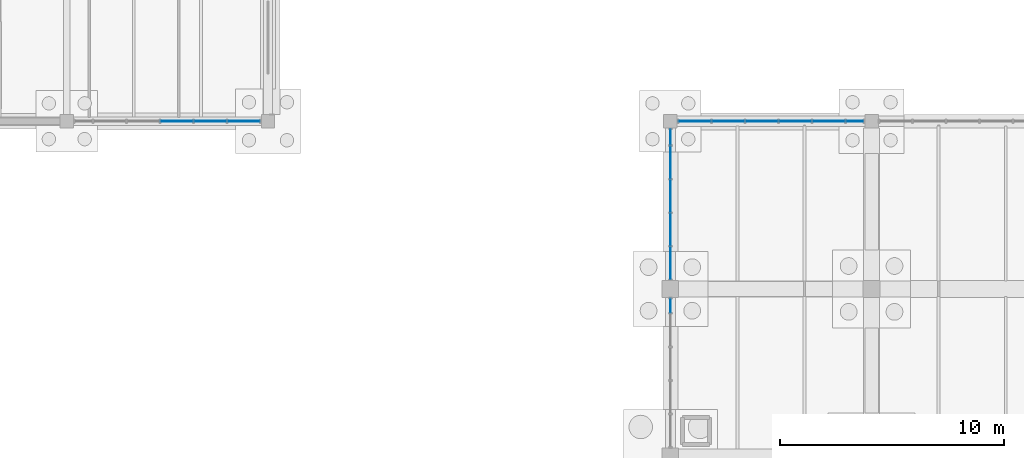
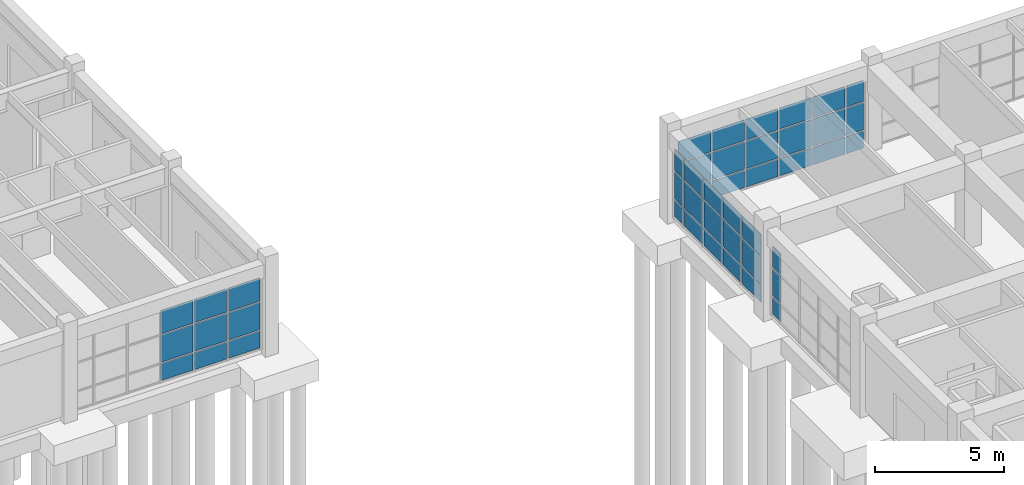
# One storey, part 49 of 93: 45 plates, 4 elements without a shape of their own.
"""IFC4 building model written with IfcOpenShell, lengths in metres."""

from ifc_helpers import new_model, si_unit, direction, frame, origin, origin_2d, place, context, subcontext, project, spatial, rectangle, extrude, material, layer, layer_set, type_object, element, aggregate, save


model = new_model("IFC4")

# Units and contexts
model_context = context("Model", 3, precision=1e-05, world=origin(), true_north=direction((0.0, 1.0)))
body_context = subcontext(model_context, "Body", "Model", "MODEL_VIEW")
ifc_project = project(units=[si_unit("LENGTHUNIT", "METRE"), si_unit("AREAUNIT", "SQUARE_METRE"), si_unit("VOLUMEUNIT", "CUBIC_METRE"), si_unit("PLANEANGLEUNIT", "RADIAN"), si_unit("MASSUNIT", "GRAM", prefix="KILO")], contexts=[model_context])

# Site, building, storey
site_placement = place(None, origin())
site = spatial("IfcSite", under=ifc_project, at=site_placement, CompositionType="ELEMENT")
building_placement = place(site_placement, origin())
building = spatial("IfcBuilding", under=site, at=building_placement, Name="Marnridge Secondary College", CompositionType="ELEMENT")
storey_placement = place(building_placement, origin())
storey = spatial("IfcBuildingStorey", under=building, at=storey_placement, Name="L00", CompositionType="ELEMENT", Elevation=0.0)

# Curtain wall, plates
ifc_material_1 = material(Name="Thermally broken aluminium and low-E glazing", Category="aluminium")
ifc_layer_1 = layer(ifc_material_1, 0.159912109375)
ifc_layer_set_1 = layer_set([ifc_layer_1], Name="CW-MOD-1500")
curtain_wall_type = type_object("IfcCurtainWallType", Name="CW-MOD-1500", PredefinedType="NOTDEFINED", material=ifc_layer_set_1)
curtain_wall_1_placement = place(storey_placement, origin())
curtain_wall_1 = element("IfcCurtainWall", 1, at=curtain_wall_1_placement, inside=storey, type_object=curtain_wall_type, Name="Unitised curtain wall CW-L00-001", PredefinedType="NOTDEFINED")
ifc_material_2 = material(Name="Double-glazed low-E argon unit", Category="glass")
ifc_layer_2 = layer(ifc_material_2, 0.028076171875)
ifc_layer_set_2 = layer_set([ifc_layer_2], Name="CWP-GLZ28")
plate_type = type_object("IfcPlateType", Name="CWP-GLZ28", PredefinedType="CURTAIN_PANEL", material=ifc_layer_set_2)
plate_1_placement = place(storey_placement, frame((55.083984375, 82.5, 0.06005859375), z_axis=(0.0, 0.0, 1.0), x_axis=(1.0, 0.0, 0.0)))
plate_1 = element("IfcPlate", 2, at=plate_1_placement, type_object=plate_type, Name="CW-L00-001 panel 1.1", PredefinedType="CURTAIN_PANEL", context=body_context, shape_type="SweptSolid", body=[
    extrude(rectangle(XDim=1.43994140625, YDim=0.028076171875, at=origin_2d()), origin(), (0.0, 0.0, 1.0), 0.81005859375),
])
plate_2_placement = place(storey_placement, frame((55.083984375, 82.5, 0.929931640625), z_axis=(0.0, 0.0, 1.0), x_axis=(1.0, 0.0, 0.0)))
plate_2 = element("IfcPlate", 3, at=plate_2_placement, type_object=plate_type, Name="CW-L00-001 panel 1.2", PredefinedType="CURTAIN_PANEL", context=body_context, shape_type="SweptSolid", body=[
    extrude(rectangle(XDim=1.43994140625, YDim=0.028076171875, at=origin_2d()), origin(), (0.0, 0.0, 1.0), 1.2900390625),
])
plate_3_placement = place(storey_placement, frame((55.083984375, 82.5, 2.280029296875), z_axis=(0.0, 0.0, 1.0), x_axis=(1.0, 0.0, 0.0)))
plate_3 = element("IfcPlate", 4, at=plate_3_placement, type_object=plate_type, Name="CW-L00-001 panel 1.3", PredefinedType="CURTAIN_PANEL", context=body_context, shape_type="SweptSolid", body=[
    extrude(rectangle(XDim=1.43994140625, YDim=0.028076171875, at=origin_2d()), origin(), (0.0, 0.0, 1.0), 0.98193359375),
])
plate_4_placement = place(storey_placement, frame((56.583984375, 82.5, 0.06005859375), z_axis=(0.0, 0.0, 1.0), x_axis=(1.0, 0.0, 0.0)))
plate_4 = element("IfcPlate", 5, at=plate_4_placement, type_object=plate_type, Name="CW-L00-001 panel 2.1", PredefinedType="CURTAIN_PANEL", context=body_context, shape_type="SweptSolid", body=[
    extrude(rectangle(XDim=1.43994140625, YDim=0.028076171875, at=origin_2d()), origin(), (0.0, 0.0, 1.0), 0.81005859375),
])
plate_5_placement = place(storey_placement, frame((56.583984375, 82.5, 0.929931640625), z_axis=(0.0, 0.0, 1.0), x_axis=(1.0, 0.0, 0.0)))
plate_5 = element("IfcPlate", 6, at=plate_5_placement, type_object=plate_type, Name="CW-L00-001 panel 2.2", PredefinedType="CURTAIN_PANEL", context=body_context, shape_type="SweptSolid", body=[
    extrude(rectangle(XDim=1.43994140625, YDim=0.028076171875, at=origin_2d()), origin(), (0.0, 0.0, 1.0), 1.2900390625),
])
plate_6_placement = place(storey_placement, frame((56.583984375, 82.5, 2.280029296875), z_axis=(0.0, 0.0, 1.0), x_axis=(1.0, 0.0, 0.0)))
plate_6 = element("IfcPlate", 7, at=plate_6_placement, type_object=plate_type, Name="CW-L00-001 panel 2.3", PredefinedType="CURTAIN_PANEL", context=body_context, shape_type="SweptSolid", body=[
    extrude(rectangle(XDim=1.43994140625, YDim=0.028076171875, at=origin_2d()), origin(), (0.0, 0.0, 1.0), 0.98193359375),
])
plate_7_placement = place(storey_placement, frame((58.083984375, 82.5, 0.06005859375), z_axis=(0.0, 0.0, 1.0), x_axis=(1.0, 0.0, 0.0)))
plate_7 = element("IfcPlate", 8, at=plate_7_placement, type_object=plate_type, Name="CW-L00-001 panel 3.1", PredefinedType="CURTAIN_PANEL", context=body_context, shape_type="SweptSolid", body=[
    extrude(rectangle(XDim=1.43994140625, YDim=0.028076171875, at=origin_2d()), origin(), (0.0, 0.0, 1.0), 0.81005859375),
])
plate_8_placement = place(storey_placement, frame((58.083984375, 82.5, 0.929931640625), z_axis=(0.0, 0.0, 1.0), x_axis=(1.0, 0.0, 0.0)))
plate_8 = element("IfcPlate", 9, at=plate_8_placement, type_object=plate_type, Name="CW-L00-001 panel 3.2", PredefinedType="CURTAIN_PANEL", context=body_context, shape_type="SweptSolid", body=[
    extrude(rectangle(XDim=1.43994140625, YDim=0.028076171875, at=origin_2d()), origin(), (0.0, 0.0, 1.0), 1.2900390625),
])
plate_9_placement = place(storey_placement, frame((58.083984375, 82.5, 2.280029296875), z_axis=(0.0, 0.0, 1.0), x_axis=(1.0, 0.0, 0.0)))
plate_9 = element("IfcPlate", 10, at=plate_9_placement, type_object=plate_type, Name="CW-L00-001 panel 3.3", PredefinedType="CURTAIN_PANEL", context=body_context, shape_type="SweptSolid", body=[
    extrude(rectangle(XDim=1.43994140625, YDim=0.028076171875, at=origin_2d()), origin(), (0.0, 0.0, 1.0), 0.98193359375),
])
plate_10_placement = place(storey_placement, frame((59.583984375, 82.5, 0.06005859375), z_axis=(0.0, 0.0, 1.0), x_axis=(1.0, 0.0, 0.0)))
plate_10 = element("IfcPlate", 11, at=plate_10_placement, type_object=plate_type, Name="CW-L00-001 panel 4.1", PredefinedType="CURTAIN_PANEL", context=body_context, shape_type="SweptSolid", body=[
    extrude(rectangle(XDim=1.43994140625, YDim=0.028076171875, at=origin_2d()), origin(), (0.0, 0.0, 1.0), 0.81005859375),
])
plate_11_placement = place(storey_placement, frame((59.583984375, 82.5, 0.929931640625), z_axis=(0.0, 0.0, 1.0), x_axis=(1.0, 0.0, 0.0)))
plate_11 = element("IfcPlate", 12, at=plate_11_placement, type_object=plate_type, Name="CW-L00-001 panel 4.2", PredefinedType="CURTAIN_PANEL", context=body_context, shape_type="SweptSolid", body=[
    extrude(rectangle(XDim=1.43994140625, YDim=0.028076171875, at=origin_2d()), origin(), (0.0, 0.0, 1.0), 1.2900390625),
])
plate_12_placement = place(storey_placement, frame((59.583984375, 82.5, 2.280029296875), z_axis=(0.0, 0.0, 1.0), x_axis=(1.0, 0.0, 0.0)))
plate_12 = element("IfcPlate", 13, at=plate_12_placement, type_object=plate_type, Name="CW-L00-001 panel 4.3", PredefinedType="CURTAIN_PANEL", context=body_context, shape_type="SweptSolid", body=[
    extrude(rectangle(XDim=1.43994140625, YDim=0.028076171875, at=origin_2d()), origin(), (0.0, 0.0, 1.0), 0.98193359375),
])
plate_13_placement = place(storey_placement, frame((61.083984375, 82.5, 0.06005859375), z_axis=(0.0, 0.0, 1.0), x_axis=(1.0, 0.0, 0.0)))
plate_13 = element("IfcPlate", 14, at=plate_13_placement, type_object=plate_type, Name="CW-L00-001 panel 5.1", PredefinedType="CURTAIN_PANEL", context=body_context, shape_type="SweptSolid", body=[
    extrude(rectangle(XDim=1.43994140625, YDim=0.028076171875, at=origin_2d()), origin(), (0.0, 0.0, 1.0), 0.81005859375),
])
plate_14_placement = place(storey_placement, frame((61.083984375, 82.5, 0.929931640625), z_axis=(0.0, 0.0, 1.0), x_axis=(1.0, 0.0, 0.0)))
plate_14 = element("IfcPlate", 15, at=plate_14_placement, type_object=plate_type, Name="CW-L00-001 panel 5.2", PredefinedType="CURTAIN_PANEL", context=body_context, shape_type="SweptSolid", body=[
    extrude(rectangle(XDim=1.43994140625, YDim=0.028076171875, at=origin_2d()), origin(), (0.0, 0.0, 1.0), 1.2900390625),
])
plate_15_placement = place(storey_placement, frame((61.083984375, 82.5, 2.280029296875), z_axis=(0.0, 0.0, 1.0), x_axis=(1.0, 0.0, 0.0)))
plate_15 = element("IfcPlate", 16, at=plate_15_placement, type_object=plate_type, Name="CW-L00-001 panel 5.3", PredefinedType="CURTAIN_PANEL", context=body_context, shape_type="SweptSolid", body=[
    extrude(rectangle(XDim=1.43994140625, YDim=0.028076171875, at=origin_2d()), origin(), (0.0, 0.0, 1.0), 0.98193359375),
])
plate_16_placement = place(storey_placement, frame((62.25, 82.5, 0.06005859375), z_axis=(0.0, 0.0, 1.0), x_axis=(1.0, 0.0, 0.0)))
plate_16 = element("IfcPlate", 17, at=plate_16_placement, type_object=plate_type, Name="CW-L00-001 panel 6.1", PredefinedType="CURTAIN_PANEL", context=body_context, shape_type="SweptSolid", body=[
    extrude(rectangle(XDim=0.77197265625, YDim=0.028076171875, at=origin_2d()), origin(), (0.0, 0.0, 1.0), 0.81005859375),
])
plate_17_placement = place(storey_placement, frame((62.25, 82.5, 0.929931640625), z_axis=(0.0, 0.0, 1.0), x_axis=(1.0, 0.0, 0.0)))
plate_17 = element("IfcPlate", 18, at=plate_17_placement, type_object=plate_type, Name="CW-L00-001 panel 6.2", PredefinedType="CURTAIN_PANEL", context=body_context, shape_type="SweptSolid", body=[
    extrude(rectangle(XDim=0.77197265625, YDim=0.028076171875, at=origin_2d()), origin(), (0.0, 0.0, 1.0), 1.2900390625),
])
plate_18_placement = place(storey_placement, frame((62.25, 82.5, 2.280029296875), z_axis=(0.0, 0.0, 1.0), x_axis=(1.0, 0.0, 0.0)))
plate_18 = element("IfcPlate", 19, at=plate_18_placement, type_object=plate_type, Name="CW-L00-001 panel 6.3", PredefinedType="CURTAIN_PANEL", context=body_context, shape_type="SweptSolid", body=[
    extrude(rectangle(XDim=0.77197265625, YDim=0.028076171875, at=origin_2d()), origin(), (0.0, 0.0, 1.0), 0.98193359375),
])
aggregate(curtain_wall_1, [plate_1, plate_2, plate_3, plate_4, plate_5, plate_6, plate_7, plate_8, plate_9, plate_10, plate_11, plate_12, plate_13, plate_14, plate_15, plate_16, plate_17, plate_18])

curtain_wall_2_placement = place(storey_placement, origin())
curtain_wall_2 = element("IfcCurtainWall", 20, at=curtain_wall_2_placement, inside=storey, type_object=curtain_wall_type, Name="Unitised curtain wall CW-L00-007", PredefinedType="NOTDEFINED")
plate_19_placement = place(storey_placement, frame((54.0, 74.25, 0.06005859375), z_axis=(0.0, 0.0, 1.0), x_axis=(0.0, 1.0, 0.0)))
plate_19 = element("IfcPlate", 21, at=plate_19_placement, type_object=plate_type, Name="CW-L00-007 panel 5.1", PredefinedType="CURTAIN_PANEL", context=body_context, shape_type="SweptSolid", body=[
    extrude(rectangle(XDim=0.6220703125, YDim=0.028076171875, at=origin_2d()), origin(), (0.0, 0.0, 1.0), 0.81005859375),
])
plate_20_placement = place(storey_placement, frame((54.0, 74.25, 0.929931640625), z_axis=(0.0, 0.0, 1.0), x_axis=(0.0, 1.0, 0.0)))
plate_20 = element("IfcPlate", 22, at=plate_20_placement, type_object=plate_type, Name="CW-L00-007 panel 5.2", PredefinedType="CURTAIN_PANEL", context=body_context, shape_type="SweptSolid", body=[
    extrude(rectangle(XDim=0.6220703125, YDim=0.028076171875, at=origin_2d()), origin(), (0.0, 0.0, 1.0), 1.2900390625),
])
plate_21_placement = place(storey_placement, frame((54.0, 74.25, 2.280029296875), z_axis=(0.0, 0.0, 1.0), x_axis=(0.0, 1.0, 0.0)))
plate_21 = element("IfcPlate", 23, at=plate_21_placement, type_object=plate_type, Name="CW-L00-007 panel 5.3", PredefinedType="CURTAIN_PANEL", context=body_context, shape_type="SweptSolid", body=[
    extrude(rectangle(XDim=0.6220703125, YDim=0.028076171875, at=origin_2d()), origin(), (0.0, 0.0, 1.0), 0.98193359375),
])
aggregate(curtain_wall_2, [plate_19, plate_20, plate_21])

curtain_wall_3_placement = place(storey_placement, origin())
curtain_wall_3 = element("IfcCurtainWall", 24, at=curtain_wall_3_placement, inside=storey, type_object=curtain_wall_type, Name="Unitised curtain wall CW-L00-008", PredefinedType="NOTDEFINED")
plate_22_placement = place(storey_placement, frame((54.0, 76.158935546875, 0.06005859375), z_axis=(0.0, 0.0, 1.0), x_axis=(0.0, 1.0, 0.0)))
plate_22 = element("IfcPlate", 25, at=plate_22_placement, type_object=plate_type, Name="CW-L00-008 panel 1.1", PredefinedType="CURTAIN_PANEL", context=body_context, shape_type="SweptSolid", body=[
    extrude(rectangle(XDim=1.43994140625, YDim=0.028076171875, at=origin_2d()), origin(), (0.0, 0.0, 1.0), 0.81005859375),
])
plate_23_placement = place(storey_placement, frame((54.0, 76.158935546875, 0.929931640625), z_axis=(0.0, 0.0, 1.0), x_axis=(0.0, 1.0, 0.0)))
plate_23 = element("IfcPlate", 26, at=plate_23_placement, type_object=plate_type, Name="CW-L00-008 panel 1.2", PredefinedType="CURTAIN_PANEL", context=body_context, shape_type="SweptSolid", body=[
    extrude(rectangle(XDim=1.43994140625, YDim=0.028076171875, at=origin_2d()), origin(), (0.0, 0.0, 1.0), 1.2900390625),
])
plate_24_placement = place(storey_placement, frame((54.0, 76.158935546875, 2.280029296875), z_axis=(0.0, 0.0, 1.0), x_axis=(0.0, 1.0, 0.0)))
plate_24 = element("IfcPlate", 27, at=plate_24_placement, type_object=plate_type, Name="CW-L00-008 panel 1.3", PredefinedType="CURTAIN_PANEL", context=body_context, shape_type="SweptSolid", body=[
    extrude(rectangle(XDim=1.43994140625, YDim=0.028076171875, at=origin_2d()), origin(), (0.0, 0.0, 1.0), 0.98193359375),
])
plate_25_placement = place(storey_placement, frame((54.0, 77.658935546875, 0.06005859375), z_axis=(0.0, 0.0, 1.0), x_axis=(0.0, 1.0, 0.0)))
plate_25 = element("IfcPlate", 28, at=plate_25_placement, type_object=plate_type, Name="CW-L00-008 panel 2.1", PredefinedType="CURTAIN_PANEL", context=body_context, shape_type="SweptSolid", body=[
    extrude(rectangle(XDim=1.43994140625, YDim=0.028076171875, at=origin_2d()), origin(), (0.0, 0.0, 1.0), 0.81005859375),
])
plate_26_placement = place(storey_placement, frame((54.0, 77.658935546875, 0.929931640625), z_axis=(0.0, 0.0, 1.0), x_axis=(0.0, 1.0, 0.0)))
plate_26 = element("IfcPlate", 29, at=plate_26_placement, type_object=plate_type, Name="CW-L00-008 panel 2.2", PredefinedType="CURTAIN_PANEL", context=body_context, shape_type="SweptSolid", body=[
    extrude(rectangle(XDim=1.43994140625, YDim=0.028076171875, at=origin_2d()), origin(), (0.0, 0.0, 1.0), 1.2900390625),
])
plate_27_placement = place(storey_placement, frame((54.0, 77.658935546875, 2.280029296875), z_axis=(0.0, 0.0, 1.0), x_axis=(0.0, 1.0, 0.0)))
plate_27 = element("IfcPlate", 30, at=plate_27_placement, type_object=plate_type, Name="CW-L00-008 panel 2.3", PredefinedType="CURTAIN_PANEL", context=body_context, shape_type="SweptSolid", body=[
    extrude(rectangle(XDim=1.43994140625, YDim=0.028076171875, at=origin_2d()), origin(), (0.0, 0.0, 1.0), 0.98193359375),
])
plate_28_placement = place(storey_placement, frame((54.0, 79.158935546875, 0.06005859375), z_axis=(0.0, 0.0, 1.0), x_axis=(0.0, 1.0, 0.0)))
plate_28 = element("IfcPlate", 31, at=plate_28_placement, type_object=plate_type, Name="CW-L00-008 panel 3.1", PredefinedType="CURTAIN_PANEL", context=body_context, shape_type="SweptSolid", body=[
    extrude(rectangle(XDim=1.43994140625, YDim=0.028076171875, at=origin_2d()), origin(), (0.0, 0.0, 1.0), 0.81005859375),
])
plate_29_placement = place(storey_placement, frame((54.0, 79.158935546875, 0.929931640625), z_axis=(0.0, 0.0, 1.0), x_axis=(0.0, 1.0, 0.0)))
plate_29 = element("IfcPlate", 32, at=plate_29_placement, type_object=plate_type, Name="CW-L00-008 panel 3.2", PredefinedType="CURTAIN_PANEL", context=body_context, shape_type="SweptSolid", body=[
    extrude(rectangle(XDim=1.43994140625, YDim=0.028076171875, at=origin_2d()), origin(), (0.0, 0.0, 1.0), 1.2900390625),
])
plate_30_placement = place(storey_placement, frame((54.0, 79.158935546875, 2.280029296875), z_axis=(0.0, 0.0, 1.0), x_axis=(0.0, 1.0, 0.0)))
plate_30 = element("IfcPlate", 33, at=plate_30_placement, type_object=plate_type, Name="CW-L00-008 panel 3.3", PredefinedType="CURTAIN_PANEL", context=body_context, shape_type="SweptSolid", body=[
    extrude(rectangle(XDim=1.43994140625, YDim=0.028076171875, at=origin_2d()), origin(), (0.0, 0.0, 1.0), 0.98193359375),
])
plate_31_placement = place(storey_placement, frame((54.0, 80.658935546875, 0.06005859375), z_axis=(0.0, 0.0, 1.0), x_axis=(0.0, 1.0, 0.0)))
plate_31 = element("IfcPlate", 34, at=plate_31_placement, type_object=plate_type, Name="CW-L00-008 panel 4.1", PredefinedType="CURTAIN_PANEL", context=body_context, shape_type="SweptSolid", body=[
    extrude(rectangle(XDim=1.43994140625, YDim=0.028076171875, at=origin_2d()), origin(), (0.0, 0.0, 1.0), 0.81005859375),
])
plate_32_placement = place(storey_placement, frame((54.0, 80.658935546875, 0.929931640625), z_axis=(0.0, 0.0, 1.0), x_axis=(0.0, 1.0, 0.0)))
plate_32 = element("IfcPlate", 35, at=plate_32_placement, type_object=plate_type, Name="CW-L00-008 panel 4.2", PredefinedType="CURTAIN_PANEL", context=body_context, shape_type="SweptSolid", body=[
    extrude(rectangle(XDim=1.43994140625, YDim=0.028076171875, at=origin_2d()), origin(), (0.0, 0.0, 1.0), 1.2900390625),
])
plate_33_placement = place(storey_placement, frame((54.0, 80.658935546875, 2.280029296875), z_axis=(0.0, 0.0, 1.0), x_axis=(0.0, 1.0, 0.0)))
plate_33 = element("IfcPlate", 36, at=plate_33_placement, type_object=plate_type, Name="CW-L00-008 panel 4.3", PredefinedType="CURTAIN_PANEL", context=body_context, shape_type="SweptSolid", body=[
    extrude(rectangle(XDim=1.43994140625, YDim=0.028076171875, at=origin_2d()), origin(), (0.0, 0.0, 1.0), 0.98193359375),
])
plate_34_placement = place(storey_placement, frame((54.0, 81.78759765625, 0.06005859375), z_axis=(0.0, 0.0, 1.0), x_axis=(0.0, 1.0, 0.0)))
plate_34 = element("IfcPlate", 37, at=plate_34_placement, type_object=plate_type, Name="CW-L00-008 panel 5.1", PredefinedType="CURTAIN_PANEL", context=body_context, shape_type="SweptSolid", body=[
    extrude(rectangle(XDim=0.697021484375, YDim=0.028076171875, at=origin_2d()), origin(), (0.0, 0.0, 1.0), 0.81005859375),
])
plate_35_placement = place(storey_placement, frame((54.0, 81.78759765625, 0.929931640625), z_axis=(0.0, 0.0, 1.0), x_axis=(0.0, 1.0, 0.0)))
plate_35 = element("IfcPlate", 38, at=plate_35_placement, type_object=plate_type, Name="CW-L00-008 panel 5.2", PredefinedType="CURTAIN_PANEL", context=body_context, shape_type="SweptSolid", body=[
    extrude(rectangle(XDim=0.697021484375, YDim=0.028076171875, at=origin_2d()), origin(), (0.0, 0.0, 1.0), 1.2900390625),
])
plate_36_placement = place(storey_placement, frame((54.0, 81.78759765625, 2.280029296875), z_axis=(0.0, 0.0, 1.0), x_axis=(0.0, 1.0, 0.0)))
plate_36 = element("IfcPlate", 39, at=plate_36_placement, type_object=plate_type, Name="CW-L00-008 panel 5.3", PredefinedType="CURTAIN_PANEL", context=body_context, shape_type="SweptSolid", body=[
    extrude(rectangle(XDim=0.697021484375, YDim=0.028076171875, at=origin_2d()), origin(), (0.0, 0.0, 1.0), 0.98193359375),
])
aggregate(curtain_wall_3, [plate_22, plate_23, plate_24, plate_25, plate_26, plate_27, plate_28, plate_29, plate_30, plate_31, plate_32, plate_33, plate_34, plate_35, plate_36])

curtain_wall_4_placement = place(storey_placement, origin())
curtain_wall_4 = element("IfcCurtainWall", 40, at=curtain_wall_4_placement, inside=storey, type_object=curtain_wall_type, Name="Unitised curtain wall CW-L00-014", PredefinedType="NOTDEFINED")
plate_37_placement = place(storey_placement, frame((34.916015625, 82.5, 0.06005859375), z_axis=(0.0, 0.0, 1.0), x_axis=(-1.0, 0.0, 0.0)))
plate_37 = element("IfcPlate", 41, at=plate_37_placement, type_object=plate_type, Name="CW-L00-014 panel 1.1", PredefinedType="CURTAIN_PANEL", context=body_context, shape_type="SweptSolid", body=[
    extrude(rectangle(XDim=1.43994140625, YDim=0.028076171875, at=origin_2d()), origin(), (0.0, 0.0, 1.0), 0.81005859375),
])
plate_38_placement = place(storey_placement, frame((34.916015625, 82.5, 0.929931640625), z_axis=(0.0, 0.0, 1.0), x_axis=(-1.0, 0.0, 0.0)))
plate_38 = element("IfcPlate", 42, at=plate_38_placement, type_object=plate_type, Name="CW-L00-014 panel 1.2", PredefinedType="CURTAIN_PANEL", context=body_context, shape_type="SweptSolid", body=[
    extrude(rectangle(XDim=1.43994140625, YDim=0.028076171875, at=origin_2d()), origin(), (0.0, 0.0, 1.0), 1.2900390625),
])
plate_39_placement = place(storey_placement, frame((34.916015625, 82.5, 2.280029296875), z_axis=(0.0, 0.0, 1.0), x_axis=(-1.0, 0.0, 0.0)))
plate_39 = element("IfcPlate", 43, at=plate_39_placement, type_object=plate_type, Name="CW-L00-014 panel 1.3", PredefinedType="CURTAIN_PANEL", context=body_context, shape_type="SweptSolid", body=[
    extrude(rectangle(XDim=1.43994140625, YDim=0.028076171875, at=origin_2d()), origin(), (0.0, 0.0, 1.0), 1.10205078125),
])
plate_40_placement = place(storey_placement, frame((33.416015625, 82.5, 0.06005859375), z_axis=(0.0, 0.0, 1.0), x_axis=(-1.0, 0.0, 0.0)))
plate_40 = element("IfcPlate", 44, at=plate_40_placement, type_object=plate_type, Name="CW-L00-014 panel 2.1", PredefinedType="CURTAIN_PANEL", context=body_context, shape_type="SweptSolid", body=[
    extrude(rectangle(XDim=1.43994140625, YDim=0.028076171875, at=origin_2d()), origin(), (0.0, 0.0, 1.0), 0.81005859375),
])
plate_41_placement = place(storey_placement, frame((33.416015625, 82.5, 0.929931640625), z_axis=(0.0, 0.0, 1.0), x_axis=(-1.0, 0.0, 0.0)))
plate_41 = element("IfcPlate", 45, at=plate_41_placement, type_object=plate_type, Name="CW-L00-014 panel 2.2", PredefinedType="CURTAIN_PANEL", context=body_context, shape_type="SweptSolid", body=[
    extrude(rectangle(XDim=1.43994140625, YDim=0.028076171875, at=origin_2d()), origin(), (0.0, 0.0, 1.0), 1.2900390625),
])
plate_42_placement = place(storey_placement, frame((33.416015625, 82.5, 2.280029296875), z_axis=(0.0, 0.0, 1.0), x_axis=(-1.0, 0.0, 0.0)))
plate_42 = element("IfcPlate", 46, at=plate_42_placement, type_object=plate_type, Name="CW-L00-014 panel 2.3", PredefinedType="CURTAIN_PANEL", context=body_context, shape_type="SweptSolid", body=[
    extrude(rectangle(XDim=1.43994140625, YDim=0.028076171875, at=origin_2d()), origin(), (0.0, 0.0, 1.0), 1.10205078125),
])
plate_43_placement = place(storey_placement, frame((31.916015625, 82.5, 0.06005859375), z_axis=(0.0, 0.0, 1.0), x_axis=(-1.0, 0.0, 0.0)))
plate_43 = element("IfcPlate", 47, at=plate_43_placement, type_object=plate_type, Name="CW-L00-014 panel 3.1", PredefinedType="CURTAIN_PANEL", context=body_context, shape_type="SweptSolid", body=[
    extrude(rectangle(XDim=1.43994140625, YDim=0.028076171875, at=origin_2d()), origin(), (0.0, 0.0, 1.0), 0.81005859375),
])
plate_44_placement = place(storey_placement, frame((31.916015625, 82.5, 0.929931640625), z_axis=(0.0, 0.0, 1.0), x_axis=(-1.0, 0.0, 0.0)))
plate_44 = element("IfcPlate", 48, at=plate_44_placement, type_object=plate_type, Name="CW-L00-014 panel 3.2", PredefinedType="CURTAIN_PANEL", context=body_context, shape_type="SweptSolid", body=[
    extrude(rectangle(XDim=1.43994140625, YDim=0.028076171875, at=origin_2d()), origin(), (0.0, 0.0, 1.0), 1.2900390625),
])
plate_45_placement = place(storey_placement, frame((31.916015625, 82.5, 2.280029296875), z_axis=(0.0, 0.0, 1.0), x_axis=(-1.0, 0.0, 0.0)))
plate_45 = element("IfcPlate", 49, at=plate_45_placement, type_object=plate_type, Name="CW-L00-014 panel 3.3", PredefinedType="CURTAIN_PANEL", context=body_context, shape_type="SweptSolid", body=[
    extrude(rectangle(XDim=1.43994140625, YDim=0.028076171875, at=origin_2d()), origin(), (0.0, 0.0, 1.0), 1.10205078125),
])
aggregate(curtain_wall_4, [plate_37, plate_38, plate_39, plate_40, plate_41, plate_42, plate_43, plate_44, plate_45])

save(model, "model.ifc")
